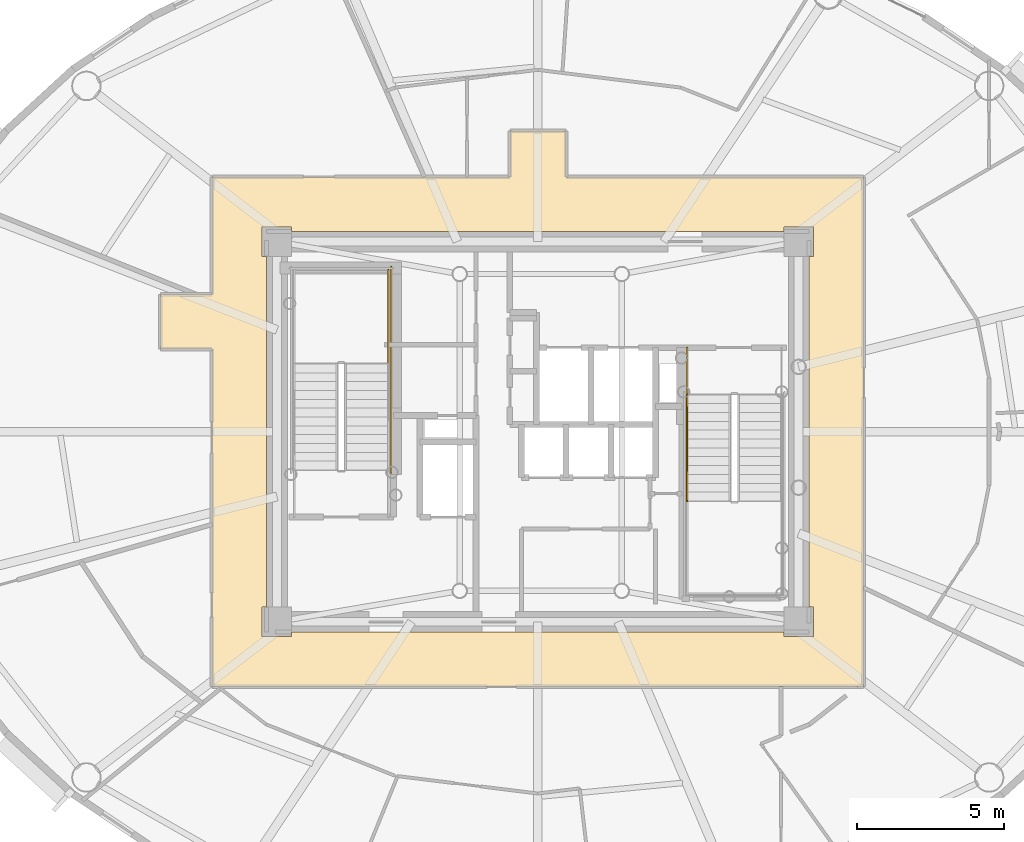
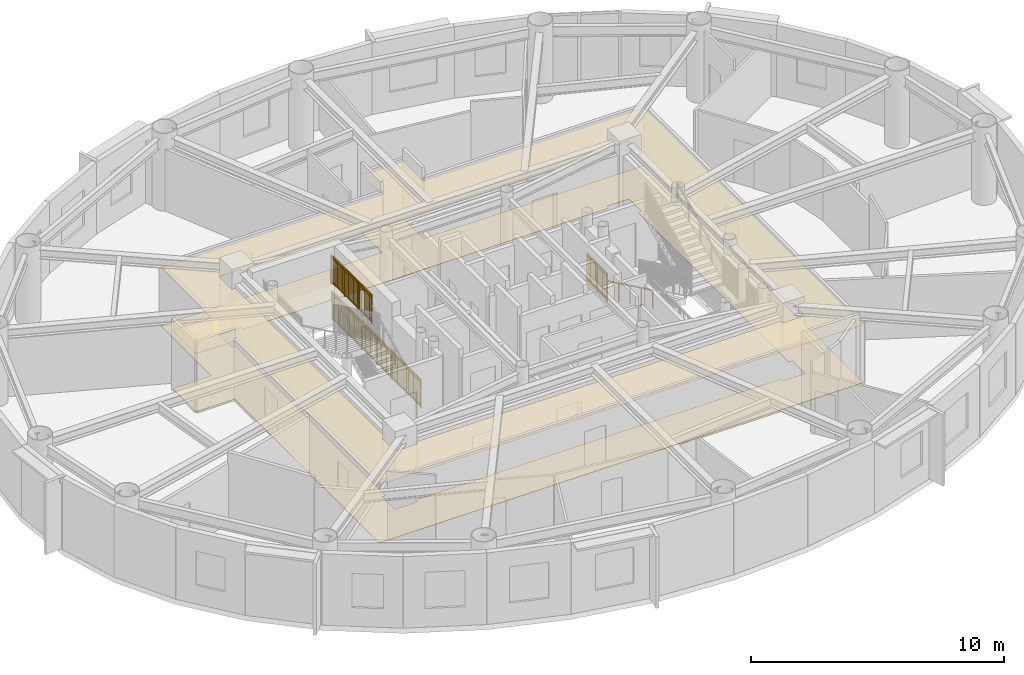
# One storey, part 16 of 17: 4 railings, 2 coverings.
"""IFC4 building model written with IfcOpenShell, lengths in metres."""

from ifc_helpers import new_model, si_unit, direction, frame, origin, origin_2d, place, context, subcontext, project, spatial, polyline, rectangle, outline, extrude, source, transform, mapped, material, layer, layer_set, type_object, element, save


model = new_model("IFC4")

# Units and contexts
model_context = context("Model", 3, precision=1e-05, world=origin(), true_north=direction((0.0, 1.0)))
body_context = subcontext(model_context, "Body", "Model", "MODEL_VIEW")
ifc_project = project(units=[si_unit("LENGTHUNIT", "METRE"), si_unit("AREAUNIT", "SQUARE_METRE"), si_unit("VOLUMEUNIT", "CUBIC_METRE"), si_unit("PLANEANGLEUNIT", "RADIAN"), si_unit("MASSUNIT", "GRAM", prefix="KILO")], contexts=[model_context])

# Site, building, storey
site_placement = place(None, origin())
site = spatial("IfcSite", under=ifc_project, at=site_placement, CompositionType="ELEMENT")
building_placement = place(site_placement, origin())
building = spatial("IfcBuilding", under=site, at=building_placement, Name="Linh Dai School and Residence Tower", CompositionType="ELEMENT")
storey_placement = place(building_placement, frame((0.0, 0.0, 314.25)))
storey = spatial("IfcBuildingStorey", under=building, at=storey_placement, Name="L78", CompositionType="ELEMENT", Elevation=314.25)

# Coverings
ifc_material_1 = material(Name="Mineral Fibre Acoustic Suspended Ceiling", Category="masonry")
ifc_layer_1 = layer(ifc_material_1, 0.02001953125)
ifc_layer_set_1 = layer_set([ifc_layer_1], Name="Mineral Fibre Acoustic Suspended Ceiling")
covering_type_1 = type_object("IfcCoveringType", Name="COV-CEIL-AC-20", PredefinedType="CEILING", material=ifc_layer_set_1)
covering_1_placement = place(storey_placement, frame((0.0, 0.0, 2.800048828125)))
element("IfcCovering", 1, at=covering_1_placement, inside=storey, type_object=covering_type_1, Name="L78 Residential Floor Corridor Suspended Ceiling", PredefinedType="CEILING", context=body_context, shape_type="SweptSolid", body=[
    extrude(outline(polyline([(23.199951171875, 31.64990234375), (24.949951171875, 31.64990234375), (24.949951171875, 35.64990234375), (35.050048828125, 35.64990234375), (35.050048828125, 37.199951171875), (36.949951171875, 37.199951171875), (36.949951171875, 35.64990234375), (47.050048828125, 35.64990234375), (47.050048828125, 18.35009765625), (24.949951171875, 18.35009765625), (24.949951171875, 29.800048828125), (23.199951171875, 29.800048828125), (23.199951171875, 31.64990234375)]), holes=[polyline([(27.64990234375, 33.800048828125), (27.64990234375, 33.949951171875), (26.64990234375, 33.949951171875), (26.64990234375, 32.949951171875), (26.800048828125, 32.949951171875), (26.800048828125, 21.050048828125), (26.64990234375, 21.050048828125), (26.64990234375, 20.050048828125), (27.64990234375, 20.050048828125), (27.64990234375, 20.199951171875), (44.35009765625, 20.199951171875), (44.35009765625, 20.050048828125), (45.35009765625, 20.050048828125), (45.35009765625, 21.050048828125), (45.199951171875, 21.050048828125), (45.199951171875, 32.949951171875), (45.35009765625, 32.949951171875), (45.35009765625, 33.949951171875), (44.35009765625, 33.949951171875), (44.35009765625, 33.800048828125), (27.64990234375, 33.800048828125)])]), origin(), (0.0, 0.0, 1.0), 0.02001953125),
])
ifc_material_2 = material(Name="Polished Terrazzo Floor Finish", Category="masonry")
ifc_layer_2 = layer(ifc_material_2, 0.02490234375)
ifc_layer_set_2 = layer_set([ifc_layer_2], Name="Polished Terrazzo Floor Finish")
covering_type_2 = type_object("IfcCoveringType", Name="COV-FLR-TRZ-25", PredefinedType="FLOORING", material=ifc_layer_set_2)
covering_2_placement = place(storey_placement, origin())
element("IfcCovering", 2, at=covering_2_placement, inside=storey, type_object=covering_type_2, Name="L78 Residential Floor Corridor Floor Finish", PredefinedType="FLOORING", context=body_context, shape_type="SweptSolid", body=[
    extrude(outline(polyline([(23.199951171875, 31.64990234375), (24.949951171875, 31.64990234375), (24.949951171875, 35.64990234375), (35.050048828125, 35.64990234375), (35.050048828125, 37.199951171875), (36.949951171875, 37.199951171875), (36.949951171875, 35.64990234375), (47.050048828125, 35.64990234375), (47.050048828125, 18.35009765625), (24.949951171875, 18.35009765625), (24.949951171875, 29.800048828125), (23.199951171875, 29.800048828125), (23.199951171875, 31.64990234375)]), holes=[polyline([(27.64990234375, 33.800048828125), (27.64990234375, 33.949951171875), (26.64990234375, 33.949951171875), (26.64990234375, 32.949951171875), (26.800048828125, 32.949951171875), (26.800048828125, 21.050048828125), (26.64990234375, 21.050048828125), (26.64990234375, 20.050048828125), (27.64990234375, 20.050048828125), (27.64990234375, 20.199951171875), (44.35009765625, 20.199951171875), (44.35009765625, 20.050048828125), (45.35009765625, 20.050048828125), (45.35009765625, 21.050048828125), (45.199951171875, 21.050048828125), (45.199951171875, 32.949951171875), (45.35009765625, 32.949951171875), (45.35009765625, 33.949951171875), (44.35009765625, 33.949951171875), (44.35009765625, 33.800048828125), (27.64990234375, 33.800048828125)])]), origin(), (0.0, 0.0, 1.0), 0.02001953125),
])

# Railings
ifc_material_3 = material(Name="Structural Steel S355JR", Category="steel")
railing_type_1 = type_object("IfcRailingType", Name="RL-ST-GUARD-1400", PredefinedType="GUARDRAIL", material=ifc_material_3)
shared_shape_1 = source(origin(), body_context, "Body", "SweptSolid", [
    extrude(rectangle(XDim=0.048095703125, YDim=0.048095703125, at=origin_2d()), frame((0.0, 0.0, 1.3759765625), z_axis=(0.0, 1.0, 0.0), x_axis=(-1.0, 0.0, 0.0)), (0.0, 0.0, 1.0), 7.0),
    extrude(rectangle(XDim=0.048095703125, YDim=0.048095703125, at=origin_2d()), frame((0.0, 0.0, 0.10009765625), z_axis=(0.0, 1.0, 0.0), x_axis=(-1.0, 0.0, 0.0)), (0.0, 0.0, 1.0), 7.0),
    extrude(rectangle(XDim=0.030029296875, YDim=0.030029296875, at=origin_2d()), frame((0.0, 0.0, 1.239990234375), z_axis=(0.0, 1.0, 0.0), x_axis=(-1.0, 0.0, 0.0)), (0.0, 0.0, 1.0), 7.0),
    extrude(rectangle(XDim=0.02001953125, YDim=0.02001953125, at=origin_2d()), frame((0.0, 0.09716796875, 0.10009765625)), (0.0, 0.0, 1.0), 1.251708984375),
    extrude(rectangle(XDim=0.02001953125, YDim=0.02001953125, at=origin_2d()), frame((0.0, 0.1943359375, 0.10009765625)), (0.0, 0.0, 1.0), 1.251708984375),
    extrude(rectangle(XDim=0.02001953125, YDim=0.02001953125, at=origin_2d()), frame((0.0, 0.291748046875, 0.10009765625)), (0.0, 0.0, 1.0), 1.251708984375),
    extrude(rectangle(XDim=0.02001953125, YDim=0.02001953125, at=origin_2d()), frame((0.0, 0.388916015625, 0.10009765625)), (0.0, 0.0, 1.0), 1.251708984375),
    extrude(rectangle(XDim=0.02001953125, YDim=0.02001953125, at=origin_2d()), frame((0.0, 0.486083984375, 0.10009765625)), (0.0, 0.0, 1.0), 1.251708984375),
    extrude(rectangle(XDim=0.02001953125, YDim=0.02001953125, at=origin_2d()), frame((0.0, 0.583251953125, 0.10009765625)), (0.0, 0.0, 1.0), 1.251708984375),
    extrude(rectangle(XDim=0.02001953125, YDim=0.02001953125, at=origin_2d()), frame((0.0, 0.6806640625, 0.10009765625)), (0.0, 0.0, 1.0), 1.251708984375),
    extrude(rectangle(XDim=0.02001953125, YDim=0.02001953125, at=origin_2d()), frame((0.0, 0.77783203125, 0.10009765625)), (0.0, 0.0, 1.0), 1.251708984375),
    extrude(rectangle(XDim=0.02001953125, YDim=0.02001953125, at=origin_2d()), frame((0.0, 0.875, 0.10009765625)), (0.0, 0.0, 1.0), 1.251708984375),
    extrude(rectangle(XDim=0.02001953125, YDim=0.02001953125, at=origin_2d()), frame((0.0, 0.97216796875, 0.10009765625)), (0.0, 0.0, 1.0), 1.251708984375),
    extrude(rectangle(XDim=0.02001953125, YDim=0.02001953125, at=origin_2d()), frame((0.0, 1.0693359375, 0.10009765625)), (0.0, 0.0, 1.0), 1.251708984375),
    extrude(rectangle(XDim=0.02001953125, YDim=0.02001953125, at=origin_2d()), frame((0.0, 1.263916015625, 0.10009765625)), (0.0, 0.0, 1.0), 1.251708984375),
    extrude(rectangle(XDim=0.02001953125, YDim=0.02001953125, at=origin_2d()), frame((0.0, 1.361083984375, 0.10009765625)), (0.0, 0.0, 1.0), 1.251708984375),
    extrude(rectangle(XDim=0.02001953125, YDim=0.02001953125, at=origin_2d()), frame((0.0, 1.458251953125, 0.10009765625)), (0.0, 0.0, 1.0), 1.251708984375),
    extrude(rectangle(XDim=0.02001953125, YDim=0.02001953125, at=origin_2d()), frame((0.0, 1.5556640625, 0.10009765625)), (0.0, 0.0, 1.0), 1.251708984375),
    extrude(rectangle(XDim=0.02001953125, YDim=0.02001953125, at=origin_2d()), frame((0.0, 1.65283203125, 0.10009765625)), (0.0, 0.0, 1.0), 1.251708984375),
    extrude(rectangle(XDim=0.02001953125, YDim=0.02001953125, at=origin_2d()), frame((0.0, 1.75, 0.10009765625)), (0.0, 0.0, 1.0), 1.251708984375),
    extrude(rectangle(XDim=0.02001953125, YDim=0.02001953125, at=origin_2d()), frame((0.0, 1.84716796875, 0.10009765625)), (0.0, 0.0, 1.0), 1.251708984375),
    extrude(rectangle(XDim=0.02001953125, YDim=0.02001953125, at=origin_2d()), frame((0.0, 1.9443359375, 0.10009765625)), (0.0, 0.0, 1.0), 1.251708984375),
    extrude(rectangle(XDim=0.02001953125, YDim=0.02001953125, at=origin_2d()), frame((0.0, 2.041748046875, 0.10009765625)), (0.0, 0.0, 1.0), 1.251708984375),
    extrude(rectangle(XDim=0.02001953125, YDim=0.02001953125, at=origin_2d()), frame((0.0, 2.138916015625, 0.10009765625)), (0.0, 0.0, 1.0), 1.251708984375),
    extrude(rectangle(XDim=0.02001953125, YDim=0.02001953125, at=origin_2d()), frame((0.0, 2.236083984375, 0.10009765625)), (0.0, 0.0, 1.0), 1.251708984375),
    extrude(rectangle(XDim=0.02001953125, YDim=0.02001953125, at=origin_2d()), frame((0.0, 2.4306640625, 0.10009765625)), (0.0, 0.0, 1.0), 1.251708984375),
    extrude(rectangle(XDim=0.02001953125, YDim=0.02001953125, at=origin_2d()), frame((0.0, 2.52783203125, 0.10009765625)), (0.0, 0.0, 1.0), 1.251708984375),
    extrude(rectangle(XDim=0.02001953125, YDim=0.02001953125, at=origin_2d()), frame((0.0, 2.625, 0.10009765625)), (0.0, 0.0, 1.0), 1.251708984375),
    extrude(rectangle(XDim=0.02001953125, YDim=0.02001953125, at=origin_2d()), frame((0.0, 2.72216796875, 0.10009765625)), (0.0, 0.0, 1.0), 1.251708984375),
    extrude(rectangle(XDim=0.02001953125, YDim=0.02001953125, at=origin_2d()), frame((0.0, 2.8193359375, 0.10009765625)), (0.0, 0.0, 1.0), 1.251708984375),
    extrude(rectangle(XDim=0.02001953125, YDim=0.02001953125, at=origin_2d()), frame((0.0, 2.916748046875, 0.10009765625)), (0.0, 0.0, 1.0), 1.251708984375),
    extrude(rectangle(XDim=0.02001953125, YDim=0.02001953125, at=origin_2d()), frame((0.0, 3.013916015625, 0.10009765625)), (0.0, 0.0, 1.0), 1.251708984375),
    extrude(rectangle(XDim=0.02001953125, YDim=0.02001953125, at=origin_2d()), frame((0.0, 3.111083984375, 0.10009765625)), (0.0, 0.0, 1.0), 1.251708984375),
    extrude(rectangle(XDim=0.02001953125, YDim=0.02001953125, at=origin_2d()), frame((0.0, 3.208251953125, 0.10009765625)), (0.0, 0.0, 1.0), 1.251708984375),
    extrude(rectangle(XDim=0.02001953125, YDim=0.02001953125, at=origin_2d()), frame((0.0, 3.3056640625, 0.10009765625)), (0.0, 0.0, 1.0), 1.251708984375),
    extrude(rectangle(XDim=0.02001953125, YDim=0.02001953125, at=origin_2d()), frame((0.0, 3.40283203125, 0.10009765625)), (0.0, 0.0, 1.0), 1.251708984375),
    extrude(rectangle(XDim=0.02001953125, YDim=0.02001953125, at=origin_2d()), frame((0.0, 3.59716796875, 0.10009765625)), (0.0, 0.0, 1.0), 1.251708984375),
    extrude(rectangle(XDim=0.02001953125, YDim=0.02001953125, at=origin_2d()), frame((0.0, 3.6943359375, 0.10009765625)), (0.0, 0.0, 1.0), 1.251708984375),
    extrude(rectangle(XDim=0.02001953125, YDim=0.02001953125, at=origin_2d()), frame((0.0, 3.791748046875, 0.10009765625)), (0.0, 0.0, 1.0), 1.251708984375),
    extrude(rectangle(XDim=0.02001953125, YDim=0.02001953125, at=origin_2d()), frame((0.0, 3.888916015625, 0.10009765625)), (0.0, 0.0, 1.0), 1.251708984375),
    extrude(rectangle(XDim=0.02001953125, YDim=0.02001953125, at=origin_2d()), frame((0.0, 3.986083984375, 0.10009765625)), (0.0, 0.0, 1.0), 1.251708984375),
    extrude(rectangle(XDim=0.02001953125, YDim=0.02001953125, at=origin_2d()), frame((0.0, 4.083251953125, 0.10009765625)), (0.0, 0.0, 1.0), 1.251708984375),
    extrude(rectangle(XDim=0.02001953125, YDim=0.02001953125, at=origin_2d()), frame((0.0, 4.1806640625, 0.10009765625)), (0.0, 0.0, 1.0), 1.251708984375),
    extrude(rectangle(XDim=0.02001953125, YDim=0.02001953125, at=origin_2d()), frame((0.0, 4.27783203125, 0.10009765625)), (0.0, 0.0, 1.0), 1.251708984375),
    extrude(rectangle(XDim=0.02001953125, YDim=0.02001953125, at=origin_2d()), frame((0.0, 4.375, 0.10009765625)), (0.0, 0.0, 1.0), 1.251708984375),
    extrude(rectangle(XDim=0.02001953125, YDim=0.02001953125, at=origin_2d()), frame((0.0, 4.47216796875, 0.10009765625)), (0.0, 0.0, 1.0), 1.251708984375),
    extrude(rectangle(XDim=0.02001953125, YDim=0.02001953125, at=origin_2d()), frame((0.0, 4.5693359375, 0.10009765625)), (0.0, 0.0, 1.0), 1.251708984375),
    extrude(rectangle(XDim=0.02001953125, YDim=0.02001953125, at=origin_2d()), frame((0.0, 4.763916015625, 0.10009765625)), (0.0, 0.0, 1.0), 1.251708984375),
    extrude(rectangle(XDim=0.02001953125, YDim=0.02001953125, at=origin_2d()), frame((0.0, 4.861083984375, 0.10009765625)), (0.0, 0.0, 1.0), 1.251708984375),
    extrude(rectangle(XDim=0.02001953125, YDim=0.02001953125, at=origin_2d()), frame((0.0, 4.958251953125, 0.10009765625)), (0.0, 0.0, 1.0), 1.251708984375),
    extrude(rectangle(XDim=0.02001953125, YDim=0.02001953125, at=origin_2d()), frame((0.0, 5.0556640625, 0.10009765625)), (0.0, 0.0, 1.0), 1.251708984375),
    extrude(rectangle(XDim=0.02001953125, YDim=0.02001953125, at=origin_2d()), frame((0.0, 5.15283203125, 0.10009765625)), (0.0, 0.0, 1.0), 1.251708984375),
    extrude(rectangle(XDim=0.02001953125, YDim=0.02001953125, at=origin_2d()), frame((0.0, 5.25, 0.10009765625)), (0.0, 0.0, 1.0), 1.251708984375),
    extrude(rectangle(XDim=0.02001953125, YDim=0.02001953125, at=origin_2d()), frame((0.0, 5.34716796875, 0.10009765625)), (0.0, 0.0, 1.0), 1.251708984375),
    extrude(rectangle(XDim=0.02001953125, YDim=0.02001953125, at=origin_2d()), frame((0.0, 5.4443359375, 0.10009765625)), (0.0, 0.0, 1.0), 1.251708984375),
    extrude(rectangle(XDim=0.02001953125, YDim=0.02001953125, at=origin_2d()), frame((0.0, 5.541748046875, 0.10009765625)), (0.0, 0.0, 1.0), 1.251708984375),
    extrude(rectangle(XDim=0.02001953125, YDim=0.02001953125, at=origin_2d()), frame((0.0, 5.638916015625, 0.10009765625)), (0.0, 0.0, 1.0), 1.251708984375),
    extrude(rectangle(XDim=0.02001953125, YDim=0.02001953125, at=origin_2d()), frame((0.0, 5.736083984375, 0.10009765625)), (0.0, 0.0, 1.0), 1.251708984375),
    extrude(rectangle(XDim=0.02001953125, YDim=0.02001953125, at=origin_2d()), frame((0.0, 5.9306640625, 0.10009765625)), (0.0, 0.0, 1.0), 1.251708984375),
    extrude(rectangle(XDim=0.02001953125, YDim=0.02001953125, at=origin_2d()), frame((0.0, 6.02783203125, 0.10009765625)), (0.0, 0.0, 1.0), 1.251708984375),
    extrude(rectangle(XDim=0.02001953125, YDim=0.02001953125, at=origin_2d()), frame((0.0, 6.125, 0.10009765625)), (0.0, 0.0, 1.0), 1.251708984375),
    extrude(rectangle(XDim=0.02001953125, YDim=0.02001953125, at=origin_2d()), frame((0.0, 6.22216796875, 0.10009765625)), (0.0, 0.0, 1.0), 1.251708984375),
    extrude(rectangle(XDim=0.02001953125, YDim=0.02001953125, at=origin_2d()), frame((0.0, 6.3193359375, 0.10009765625)), (0.0, 0.0, 1.0), 1.251708984375),
    extrude(rectangle(XDim=0.02001953125, YDim=0.02001953125, at=origin_2d()), frame((0.0, 6.416748046875, 0.10009765625)), (0.0, 0.0, 1.0), 1.251708984375),
    extrude(rectangle(XDim=0.02001953125, YDim=0.02001953125, at=origin_2d()), frame((0.0, 6.513916015625, 0.10009765625)), (0.0, 0.0, 1.0), 1.251708984375),
    extrude(rectangle(XDim=0.02001953125, YDim=0.02001953125, at=origin_2d()), frame((0.0, 6.611083984375, 0.10009765625)), (0.0, 0.0, 1.0), 1.251708984375),
    extrude(rectangle(XDim=0.02001953125, YDim=0.02001953125, at=origin_2d()), frame((0.0, 6.708251953125, 0.10009765625)), (0.0, 0.0, 1.0), 1.251708984375),
    extrude(rectangle(XDim=0.02001953125, YDim=0.02001953125, at=origin_2d()), frame((0.0, 6.8056640625, 0.10009765625)), (0.0, 0.0, 1.0), 1.251708984375),
    extrude(rectangle(XDim=0.02001953125, YDim=0.02001953125, at=origin_2d()), frame((0.0, 6.90283203125, 0.10009765625)), (0.0, 0.0, 1.0), 1.251708984375),
    extrude(rectangle(XDim=0.0419921875, YDim=0.0419921875, at=origin_2d()), origin(), (0.0, 0.0, 1.0), 1.3759765625),
    extrude(rectangle(XDim=0.0419921875, YDim=0.0419921875, at=origin_2d()), frame((0.0, 1.166748046875, 0.0)), (0.0, 0.0, 1.0), 1.3759765625),
    extrude(rectangle(XDim=0.0419921875, YDim=0.0419921875, at=origin_2d()), frame((0.0, 2.333251953125, 0.0)), (0.0, 0.0, 1.0), 1.3759765625),
    extrude(rectangle(XDim=0.0419921875, YDim=0.0419921875, at=origin_2d()), frame((0.0, 3.5, 0.0)), (0.0, 0.0, 1.0), 1.3759765625),
    extrude(rectangle(XDim=0.0419921875, YDim=0.0419921875, at=origin_2d()), frame((0.0, 4.666748046875, 0.0)), (0.0, 0.0, 1.0), 1.3759765625),
    extrude(rectangle(XDim=0.0419921875, YDim=0.0419921875, at=origin_2d()), frame((0.0, 5.833251953125, 0.0)), (0.0, 0.0, 1.0), 1.3759765625),
    extrude(rectangle(XDim=0.0419921875, YDim=0.0419921875, at=origin_2d()), frame((0.0, 7.0, 0.0)), (0.0, 0.0, 1.0), 1.3759765625),
])
railing_1_placement = place(storey_placement, frame((31.030029296875, 25.60009765625, 0.0)))
element("IfcRailing", 3, at=railing_1_placement, inside=storey, type_object=railing_type_1, Name="L78 ST1 stair guard 10", PredefinedType="GUARDRAIL", context=body_context, shape_type="MappedRepresentation", body=[
    mapped(shared_shape_1, transform((0.0, 0.0, 0.0), x_axis=(1.0, 0.0, 0.0), y_axis=(0.0, 1.0, 0.0), z_axis=(0.0, 0.0, 1.0), scale=1.0)),
])
shared_shape_2 = source(origin(), body_context, "Body", "SweptSolid", [
    extrude(rectangle(XDim=0.048095703125, YDim=0.048095703125, at=origin_2d()), frame((0.0, 0.0, 1.3759765625), z_axis=(0.0, 1.0, 0.0), x_axis=(-1.0, 0.0, 0.0)), (0.0, 0.0, 1.0), 3.199951171875),
    extrude(rectangle(XDim=0.048095703125, YDim=0.048095703125, at=origin_2d()), frame((0.0, 0.0, 0.10009765625), z_axis=(0.0, 1.0, 0.0), x_axis=(-1.0, 0.0, 0.0)), (0.0, 0.0, 1.0), 3.199951171875),
    extrude(rectangle(XDim=0.030029296875, YDim=0.030029296875, at=origin_2d()), frame((0.0, 0.0, 1.239990234375), z_axis=(0.0, 1.0, 0.0), x_axis=(-1.0, 0.0, 0.0)), (0.0, 0.0, 1.0), 3.199951171875),
    extrude(rectangle(XDim=0.02001953125, YDim=0.02001953125, at=origin_2d()), frame((0.0, 0.096923828125, 0.10009765625)), (0.0, 0.0, 1.0), 1.251708984375),
    extrude(rectangle(XDim=0.02001953125, YDim=0.02001953125, at=origin_2d()), frame((0.0, 0.19384765625, 0.10009765625)), (0.0, 0.0, 1.0), 1.251708984375),
    extrude(rectangle(XDim=0.02001953125, YDim=0.02001953125, at=origin_2d()), frame((0.0, 0.291015625, 0.10009765625)), (0.0, 0.0, 1.0), 1.251708984375),
    extrude(rectangle(XDim=0.02001953125, YDim=0.02001953125, at=origin_2d()), frame((0.0, 0.387939453125, 0.10009765625)), (0.0, 0.0, 1.0), 1.251708984375),
    extrude(rectangle(XDim=0.02001953125, YDim=0.02001953125, at=origin_2d()), frame((0.0, 0.48486328125, 0.10009765625)), (0.0, 0.0, 1.0), 1.251708984375),
    extrude(rectangle(XDim=0.02001953125, YDim=0.02001953125, at=origin_2d()), frame((0.0, 0.581787109375, 0.10009765625)), (0.0, 0.0, 1.0), 1.251708984375),
    extrude(rectangle(XDim=0.02001953125, YDim=0.02001953125, at=origin_2d()), frame((0.0, 0.6787109375, 0.10009765625)), (0.0, 0.0, 1.0), 1.251708984375),
    extrude(rectangle(XDim=0.02001953125, YDim=0.02001953125, at=origin_2d()), frame((0.0, 0.775634765625, 0.10009765625)), (0.0, 0.0, 1.0), 1.251708984375),
    extrude(rectangle(XDim=0.02001953125, YDim=0.02001953125, at=origin_2d()), frame((0.0, 0.872802734375, 0.10009765625)), (0.0, 0.0, 1.0), 1.251708984375),
    extrude(rectangle(XDim=0.02001953125, YDim=0.02001953125, at=origin_2d()), frame((0.0, 0.9697265625, 0.10009765625)), (0.0, 0.0, 1.0), 1.251708984375),
    extrude(rectangle(XDim=0.02001953125, YDim=0.02001953125, at=origin_2d()), frame((0.0, 1.16357421875, 0.10009765625)), (0.0, 0.0, 1.0), 1.251708984375),
    extrude(rectangle(XDim=0.02001953125, YDim=0.02001953125, at=origin_2d()), frame((0.0, 1.260498046875, 0.10009765625)), (0.0, 0.0, 1.0), 1.251708984375),
    extrude(rectangle(XDim=0.02001953125, YDim=0.02001953125, at=origin_2d()), frame((0.0, 1.357666015625, 0.10009765625)), (0.0, 0.0, 1.0), 1.251708984375),
    extrude(rectangle(XDim=0.02001953125, YDim=0.02001953125, at=origin_2d()), frame((0.0, 1.45458984375, 0.10009765625)), (0.0, 0.0, 1.0), 1.251708984375),
    extrude(rectangle(XDim=0.02001953125, YDim=0.02001953125, at=origin_2d()), frame((0.0, 1.551513671875, 0.10009765625)), (0.0, 0.0, 1.0), 1.251708984375),
    extrude(rectangle(XDim=0.02001953125, YDim=0.02001953125, at=origin_2d()), frame((0.0, 1.6484375, 0.10009765625)), (0.0, 0.0, 1.0), 1.251708984375),
    extrude(rectangle(XDim=0.02001953125, YDim=0.02001953125, at=origin_2d()), frame((0.0, 1.745361328125, 0.10009765625)), (0.0, 0.0, 1.0), 1.251708984375),
    extrude(rectangle(XDim=0.02001953125, YDim=0.02001953125, at=origin_2d()), frame((0.0, 1.84228515625, 0.10009765625)), (0.0, 0.0, 1.0), 1.251708984375),
    extrude(rectangle(XDim=0.02001953125, YDim=0.02001953125, at=origin_2d()), frame((0.0, 1.939453125, 0.10009765625)), (0.0, 0.0, 1.0), 1.251708984375),
    extrude(rectangle(XDim=0.02001953125, YDim=0.02001953125, at=origin_2d()), frame((0.0, 2.036376953125, 0.10009765625)), (0.0, 0.0, 1.0), 1.251708984375),
    extrude(rectangle(XDim=0.02001953125, YDim=0.02001953125, at=origin_2d()), frame((0.0, 2.230224609375, 0.10009765625)), (0.0, 0.0, 1.0), 1.251708984375),
    extrude(rectangle(XDim=0.02001953125, YDim=0.02001953125, at=origin_2d()), frame((0.0, 2.3271484375, 0.10009765625)), (0.0, 0.0, 1.0), 1.251708984375),
    extrude(rectangle(XDim=0.02001953125, YDim=0.02001953125, at=origin_2d()), frame((0.0, 2.42431640625, 0.10009765625)), (0.0, 0.0, 1.0), 1.251708984375),
    extrude(rectangle(XDim=0.02001953125, YDim=0.02001953125, at=origin_2d()), frame((0.0, 2.521240234375, 0.10009765625)), (0.0, 0.0, 1.0), 1.251708984375),
    extrude(rectangle(XDim=0.02001953125, YDim=0.02001953125, at=origin_2d()), frame((0.0, 2.6181640625, 0.10009765625)), (0.0, 0.0, 1.0), 1.251708984375),
    extrude(rectangle(XDim=0.02001953125, YDim=0.02001953125, at=origin_2d()), frame((0.0, 2.715087890625, 0.10009765625)), (0.0, 0.0, 1.0), 1.251708984375),
    extrude(rectangle(XDim=0.02001953125, YDim=0.02001953125, at=origin_2d()), frame((0.0, 2.81201171875, 0.10009765625)), (0.0, 0.0, 1.0), 1.251708984375),
    extrude(rectangle(XDim=0.02001953125, YDim=0.02001953125, at=origin_2d()), frame((0.0, 2.908935546875, 0.10009765625)), (0.0, 0.0, 1.0), 1.251708984375),
    extrude(rectangle(XDim=0.02001953125, YDim=0.02001953125, at=origin_2d()), frame((0.0, 3.006103515625, 0.10009765625)), (0.0, 0.0, 1.0), 1.251708984375),
    extrude(rectangle(XDim=0.02001953125, YDim=0.02001953125, at=origin_2d()), frame((0.0, 3.10302734375, 0.10009765625)), (0.0, 0.0, 1.0), 1.251708984375),
    extrude(rectangle(XDim=0.0419921875, YDim=0.0419921875, at=origin_2d()), origin(), (0.0, 0.0, 1.0), 1.3759765625),
    extrude(rectangle(XDim=0.0419921875, YDim=0.0419921875, at=origin_2d()), frame((0.0, 1.066650390625, 0.0)), (0.0, 0.0, 1.0), 1.3759765625),
    extrude(rectangle(XDim=0.0419921875, YDim=0.0419921875, at=origin_2d()), frame((0.0, 2.13330078125, 0.0)), (0.0, 0.0, 1.0), 1.3759765625),
    extrude(rectangle(XDim=0.0419921875, YDim=0.0419921875, at=origin_2d()), frame((0.0, 3.199951171875, 0.0)), (0.0, 0.0, 1.0), 1.3759765625),
])
railing_2_placement = place(storey_placement, frame((30.929931640625, 29.300048828125, 1.875)))
element("IfcRailing", 4, at=railing_2_placement, inside=storey, type_object=railing_type_1, Name="L78 ST1 stair guard 3", PredefinedType="GUARDRAIL", context=body_context, shape_type="MappedRepresentation", body=[
    mapped(shared_shape_2, transform((0.0, 0.0, 0.0), x_axis=(1.0, 0.0, 0.0), y_axis=(0.0, 1.0, 0.0), z_axis=(0.0, 0.0, 1.0), scale=1.0)),
])
ifc_material_4 = material(Name="Brushed Stainless Steel Handrail", Category="steel")
railing_type_2 = type_object("IfcRailingType", Name="RL-ST-HANDRAIL-900", PredefinedType="HANDRAIL", material=ifc_material_4)
shared_shape_3 = source(origin(), body_context, "Body", "SweptSolid", [
    extrude(rectangle(XDim=0.048095703125, YDim=0.048095703125, at=origin_2d()), frame((0.0, 0.0, 0.8759765625), z_axis=(0.0, -0.901262522062, 0.433273431364), x_axis=(1.0, 0.0, 0.0)), (0.0, 0.0, 1.0), 3.994384765625),
    extrude(rectangle(XDim=0.0419921875, YDim=0.0419921875, at=origin_2d()), origin(), (0.0, 0.0, 1.0), 0.8759765625),
    extrude(rectangle(XDim=0.0419921875, YDim=0.0419921875, at=origin_2d()), frame((0.0, -0.89990234375, 0.4326171875)), (0.0, 0.0, 1.0), 0.8759765625),
    extrude(rectangle(XDim=0.0419921875, YDim=0.0419921875, at=origin_2d()), frame((0.0, -1.800048828125, 0.865234375)), (0.0, 0.0, 1.0), 0.8759765625),
    extrude(rectangle(XDim=0.0419921875, YDim=0.0419921875, at=origin_2d()), frame((0.0, -2.7001953125, 1.298095703125)), (0.0, 0.0, 1.0), 0.8759765625),
    extrude(rectangle(XDim=0.0419921875, YDim=0.0419921875, at=origin_2d()), frame((0.0, -3.60009765625, 1.730712890625)), (0.0, 0.0, 1.0), 0.8759765625),
])
railing_3_placement = place(storey_placement, frame((41.070068359375, 28.25, 0.144287109375)))
element("IfcRailing", 5, at=railing_3_placement, inside=storey, type_object=railing_type_2, Name="L78 ST2 stair handrail 1", PredefinedType="HANDRAIL", context=body_context, shape_type="MappedRepresentation", body=[
    mapped(shared_shape_3, transform((0.0, 0.0, 0.0), x_axis=(1.0, 0.0, 0.0), y_axis=(0.0, 1.0, 0.0), z_axis=(0.0, 0.0, 1.0), scale=1.0)),
])
shared_shape_4 = source(origin(), body_context, "Body", "SweptSolid", [
    extrude(rectangle(XDim=0.048095703125, YDim=0.048095703125, at=origin_2d()), frame((0.0, 0.0, 1.3759765625), z_axis=(0.0, -1.0, 0.0), x_axis=(1.0, 0.0, 0.0)), (0.0, 0.0, 1.0), 1.60009765625),
    extrude(rectangle(XDim=0.048095703125, YDim=0.048095703125, at=origin_2d()), frame((0.0, 0.0, 0.10009765625), z_axis=(0.0, -1.0, 0.0), x_axis=(1.0, 0.0, 0.0)), (0.0, 0.0, 1.0), 1.60009765625),
    extrude(rectangle(XDim=0.030029296875, YDim=0.030029296875, at=origin_2d()), frame((0.0, 0.0, 1.239990234375), z_axis=(0.0, -1.0, 0.0), x_axis=(1.0, 0.0, 0.0)), (0.0, 0.0, 1.0), 1.60009765625),
    extrude(rectangle(XDim=0.02001953125, YDim=0.02001953125, at=origin_2d()), frame((0.0, -0.09423828125, 0.10009765625)), (0.0, 0.0, 1.0), 1.251708984375),
    extrude(rectangle(XDim=0.02001953125, YDim=0.02001953125, at=origin_2d()), frame((0.0, -0.188232421875, 0.10009765625)), (0.0, 0.0, 1.0), 1.251708984375),
    extrude(rectangle(XDim=0.02001953125, YDim=0.02001953125, at=origin_2d()), frame((0.0, -0.282470703125, 0.10009765625)), (0.0, 0.0, 1.0), 1.251708984375),
    extrude(rectangle(XDim=0.02001953125, YDim=0.02001953125, at=origin_2d()), frame((0.0, -0.37646484375, 0.10009765625)), (0.0, 0.0, 1.0), 1.251708984375),
    extrude(rectangle(XDim=0.02001953125, YDim=0.02001953125, at=origin_2d()), frame((0.0, -0.470703125, 0.10009765625)), (0.0, 0.0, 1.0), 1.251708984375),
    extrude(rectangle(XDim=0.02001953125, YDim=0.02001953125, at=origin_2d()), frame((0.0, -0.564697265625, 0.10009765625)), (0.0, 0.0, 1.0), 1.251708984375),
    extrude(rectangle(XDim=0.02001953125, YDim=0.02001953125, at=origin_2d()), frame((0.0, -0.658935546875, 0.10009765625)), (0.0, 0.0, 1.0), 1.251708984375),
    extrude(rectangle(XDim=0.02001953125, YDim=0.02001953125, at=origin_2d()), frame((0.0, -0.7529296875, 0.10009765625)), (0.0, 0.0, 1.0), 1.251708984375),
    extrude(rectangle(XDim=0.02001953125, YDim=0.02001953125, at=origin_2d()), frame((0.0, -0.84716796875, 0.10009765625)), (0.0, 0.0, 1.0), 1.251708984375),
    extrude(rectangle(XDim=0.02001953125, YDim=0.02001953125, at=origin_2d()), frame((0.0, -0.941162109375, 0.10009765625)), (0.0, 0.0, 1.0), 1.251708984375),
    extrude(rectangle(XDim=0.02001953125, YDim=0.02001953125, at=origin_2d()), frame((0.0, -1.035400390625, 0.10009765625)), (0.0, 0.0, 1.0), 1.251708984375),
    extrude(rectangle(XDim=0.02001953125, YDim=0.02001953125, at=origin_2d()), frame((0.0, -1.12939453125, 0.10009765625)), (0.0, 0.0, 1.0), 1.251708984375),
    extrude(rectangle(XDim=0.02001953125, YDim=0.02001953125, at=origin_2d()), frame((0.0, -1.2236328125, 0.10009765625)), (0.0, 0.0, 1.0), 1.251708984375),
    extrude(rectangle(XDim=0.02001953125, YDim=0.02001953125, at=origin_2d()), frame((0.0, -1.317626953125, 0.10009765625)), (0.0, 0.0, 1.0), 1.251708984375),
    extrude(rectangle(XDim=0.02001953125, YDim=0.02001953125, at=origin_2d()), frame((0.0, -1.411865234375, 0.10009765625)), (0.0, 0.0, 1.0), 1.251708984375),
    extrude(rectangle(XDim=0.02001953125, YDim=0.02001953125, at=origin_2d()), frame((0.0, -1.505859375, 0.10009765625)), (0.0, 0.0, 1.0), 1.251708984375),
    extrude(rectangle(XDim=0.0419921875, YDim=0.0419921875, at=origin_2d()), origin(), (0.0, 0.0, 1.0), 1.3759765625),
    extrude(rectangle(XDim=0.0419921875, YDim=0.0419921875, at=origin_2d()), frame((0.0, -0.800048828125, 0.0)), (0.0, 0.0, 1.0), 1.3759765625),
    extrude(rectangle(XDim=0.0419921875, YDim=0.0419921875, at=origin_2d()), frame((0.0, -1.60009765625, 0.0)), (0.0, 0.0, 1.0), 1.3759765625),
])
railing_4_placement = place(storey_placement, frame((41.070068359375, 29.85009765625, 0.0)))
element("IfcRailing", 6, at=railing_4_placement, inside=storey, type_object=railing_type_1, Name="L78 ST2 stair guard 8", PredefinedType="GUARDRAIL", context=body_context, shape_type="MappedRepresentation", body=[
    mapped(shared_shape_4, transform((0.0, 0.0, 0.0), x_axis=(1.0, 0.0, 0.0), y_axis=(0.0, 1.0, 0.0), z_axis=(0.0, 0.0, 1.0), scale=1.0)),
])

save(model, "model.ifc")
